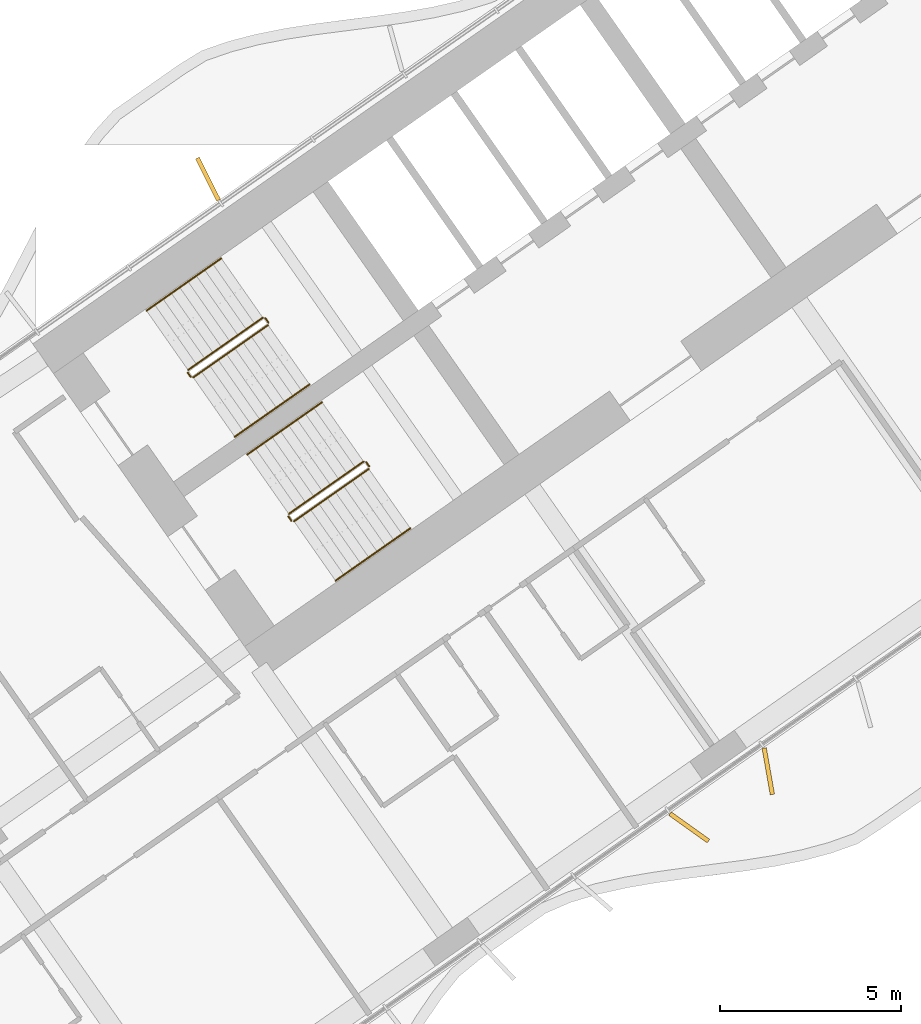
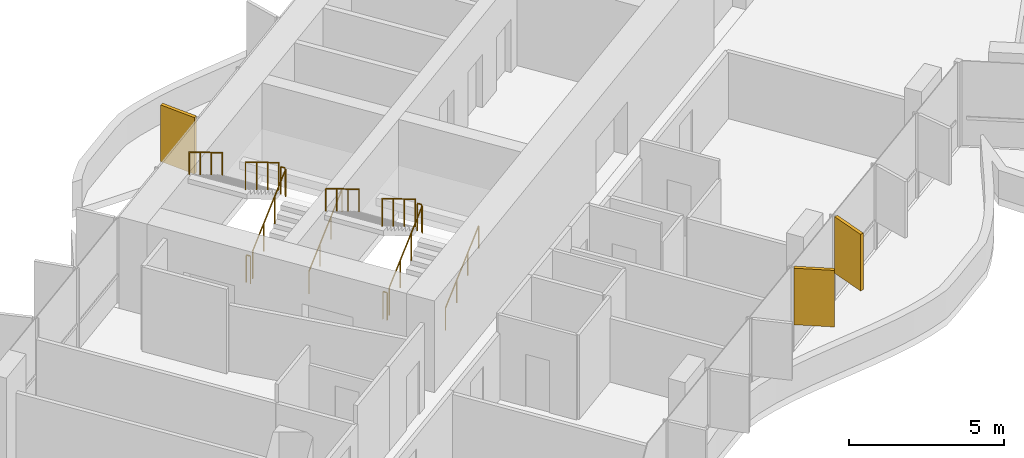
# One storey, part 19 of 23: 12 railings, 3 shading devices.
"""IFC4 building model written with IfcOpenShell, lengths in metres."""

import ifcopenshell
import ifcopenshell.guid

model = None  # the IFC model being written
_history = None  # IfcOwnerHistory: only IFC2X3 demands one
_inside = {}  # id of a spatial element -> (the spatial element, [elements in it])
_under = {}  # id of a project, library or spatial element -> (it, [spatial elements below it])
_declared = {}  # id of a project -> (the project, [libraries it declares])
_typed = {}  # id of a type object -> (the type object, [elements of that type])
_made_of = {}  # id of a material, layer set ... -> (it, [elements and type objects made of it])


def new_model(schema):
    """Start an empty IFC model of exactly this schema.

    Asked for "IFC4X3", IfcOpenShell would pick the latest addendum, in which some entities
    have other attributes; the version numbers below select the first issue.
    IFC2X3 requires an IfcOwnerHistory on every rooted entity: one is made here for all.
    """
    global model, _history
    if schema == "IFC4X3":
        model = ifcopenshell.file(schema_version=(4, 3, 0, 0))
    else:
        model = ifcopenshell.file(schema=schema)
    _inside.clear()
    _under.clear()
    _declared.clear()
    _typed.clear()
    _made_of.clear()
    _history = None
    if model.schema == "IFC2X3":
        org = make("IfcOrganization", Name="unknown")
        user = make(
            "IfcPersonAndOrganization",
            ThePerson=make("IfcPerson", FamilyName="unknown"),
            TheOrganization=org,
        )
        app = make(
            "IfcApplication",
            ApplicationDeveloper=org,
            Version="unknown",
            ApplicationFullName="unknown",
            ApplicationIdentifier="unknown",
        )
        _history = make(
            "IfcOwnerHistory",
            OwningUser=user,
            OwningApplication=app,
            ChangeAction="ADDED",
            CreationDate=0,
        )
    return model


def make(cls, **values):
    """One entity of the class cls with the attributes given. An attribute that is None is left unset."""
    return model.create_entity(
        cls, **{name: value for name, value in values.items() if value is not None}
    )


def rooted(cls, **values):
    """An entity with a GlobalId (a new one), such as an element, a storey or a relation."""
    return make(cls, GlobalId=ifcopenshell.guid.new(), OwnerHistory=_history, **values)


def si_unit(unit_type, name, prefix=None):
    """IfcSIUnit, for example si_unit("LENGTHUNIT", "METRE", prefix="MILLI")."""
    return make("IfcSIUnit", UnitType=unit_type, Prefix=prefix, Name=name)


def assignment(units):
    """IfcUnitAssignment: the units of a project."""
    return None if units is None else make("IfcUnitAssignment", Units=units)


def point(xyz):
    """IfcCartesianPoint."""
    return None if xyz is None else make("IfcCartesianPoint", Coordinates=xyz)


def direction(xyz):
    """IfcDirection."""
    return None if xyz is None else make("IfcDirection", DirectionRatios=xyz)


def frame(location, z_axis=None, x_axis=None):
    """IfcAxis2Placement3D, a coordinate frame: its origin and axes. An axis left out is left unset."""
    return make(
        "IfcAxis2Placement3D",
        Location=point(location),
        Axis=direction(z_axis),
        RefDirection=direction(x_axis),
    )


def frame_2d(location, x_axis=None):
    """IfcAxis2Placement2D, a coordinate frame in the plane: its origin and x axis."""
    return make(
        "IfcAxis2Placement2D", Location=point(location), RefDirection=direction(x_axis)
    )


def origin():
    """The frame at (0, 0, 0) with its axes left unset."""
    return frame((0.0, 0.0, 0.0))


def origin_2d():
    """The frame at (0, 0) in the plane with its x axis left unset."""
    return frame_2d((0.0, 0.0))


def place(relative_to, where):
    """IfcLocalPlacement: puts the frame where relative to a parent placement (None: the world)."""
    return make(
        "IfcLocalPlacement", PlacementRelTo=relative_to, RelativePlacement=where
    )


def context(
    kind, dimensions, precision=None, world=None, true_north=None, identifier=None
):
    """IfcGeometricRepresentationContext, for example the 3D "Model" context."""
    return make(
        "IfcGeometricRepresentationContext",
        ContextIdentifier=identifier,
        ContextType=kind,
        CoordinateSpaceDimension=dimensions,
        Precision=precision,
        WorldCoordinateSystem=world,
        TrueNorth=true_north,
    )


def subcontext(parent, identifier, kind, view, scale=None):
    """IfcGeometricRepresentationSubContext, for example "Body" below "Model"."""
    return make(
        "IfcGeometricRepresentationSubContext",
        ContextIdentifier=identifier,
        ContextType=kind,
        ParentContext=parent,
        TargetScale=scale,
        TargetView=view,
    )


def project(units=None, contexts=None):
    """IfcProject with its units and contexts."""
    return rooted(
        "IfcProject",
        Name="project",
        RepresentationContexts=contexts,
        UnitsInContext=assignment(units),
    )


def spatial(cls, under=None, at=None, **own):
    """A site, building, storey or space (cls), placed at a placement, below another one or the project."""
    s = rooted(cls, ObjectPlacement=at, **own)
    if under is not None:
        _under.setdefault(under.id(), (under, []))[1].append(s)
    return s


def profile(cls, at=None, kind="AREA", **sizes):
    """A parametric profile (cls). Its sizes go by their IFC names, for example OverallWidth=200.0."""
    return make(cls, ProfileType=kind, Position=at, **sizes)


def rectangle(**sizes):
    """IfcRectangleProfileDef."""
    return profile("IfcRectangleProfileDef", **sizes)


def circle(**sizes):
    """IfcCircleProfileDef."""
    return profile("IfcCircleProfileDef", **sizes)


def extrude(swept, where, along, depth):
    """IfcExtrudedAreaSolid: the profile swept, set in the frame where, extruded along a direction by depth."""
    return make(
        "IfcExtrudedAreaSolid",
        SweptArea=swept,
        Position=where,
        ExtrudedDirection=direction(along),
        Depth=depth,
    )


def shape(context_of_items, identifier, shape_type, items):
    """IfcShapeRepresentation: the items that make up one representation, for example the "Body"."""
    return make(
        "IfcShapeRepresentation",
        ContextOfItems=context_of_items,
        RepresentationIdentifier=identifier,
        RepresentationType=shape_type,
        Items=items,
    )


def material(Name=None, Category=None):
    """IfcMaterial."""
    return make("IfcMaterial", Name=Name, Category=Category)


def layer(
    of_material, thickness, ventilated=None, Name=None, Category=None, Priority=None
):
    """IfcMaterialLayer: one layer of a wall or slab, of a material (None: an air gap)."""
    return make(
        "IfcMaterialLayer",
        Material=of_material,
        LayerThickness=thickness,
        IsVentilated=ventilated,
        Name=Name,
        Category=Category,
        Priority=Priority,
    )


def layer_set(layers, Name=None):
    """IfcMaterialLayerSet."""
    return make("IfcMaterialLayerSet", MaterialLayers=layers, LayerSetName=Name)


def made_of(thing, what):
    """Note that an element or type object is made of a material, layer set ...; save() writes the relation."""
    if what is not None:
        _made_of.setdefault(what.id(), (what, []))[1].append(thing)
    return thing


def type_object(cls, material=None, **own):
    """A type object (cls), such as IfcWallType, which elements share."""
    return made_of(rooted(cls, **own), material)


def element(
    cls,
    number,
    at=None,
    inside=None,
    cuts=None,
    type_object=None,
    material=None,
    context=None,
    identifier="Body",
    shape_type=None,
    held_by="IfcProductDefinitionShape",
    body=None,
    shapes=None,
    **own,
):
    """One element of the class cls, such as IfcWall. Its Tag is "e" and its number.

    at: its placement. inside: the storey or other place that contains it. cuts: it is an
    opening in that element (IfcRelVoidsElement). A single representation is given by context,
    identifier, shape_type and body (its items); several are given by shapes. held_by: the class
    of the entity that holds the representations. save() writes the other relations.
    """
    e = rooted(cls, Tag="e%d" % number, ObjectPlacement=at, **own)
    if body is not None:
        shapes = [shape(context, identifier, shape_type, body)]
    if shapes is not None:
        e.Representation = make(held_by, Representations=shapes)
    if inside is not None:
        _inside.setdefault(inside.id(), (inside, []))[1].append(e)
    if cuts is not None:
        rooted(
            "IfcRelVoidsElement", RelatingBuildingElement=cuts, RelatedOpeningElement=e
        )
    if type_object is not None:
        _typed.setdefault(type_object.id(), (type_object, []))[1].append(e)
    return made_of(e, material)


def aggregate(whole, parts):
    """IfcRelAggregates: a whole, such as a stair, and the parts it consists of."""
    return rooted("IfcRelAggregates", RelatingObject=whole, RelatedObjects=parts)


def save(model, path):
    """Write the relations noted so far, then the file.

    IfcRelAggregates (storeys below a building ...), IfcRelContainedInSpatialStructure (elements
    in a storey), IfcRelDefinesByType, IfcRelAssociatesMaterial and IfcRelDeclares: one each for
    every whole, place, type object, material and project.
    """
    for whole, parts in _under.values():
        aggregate(whole, parts)
    for where, things in _inside.values():
        rooted(
            "IfcRelContainedInSpatialStructure",
            RelatedElements=things,
            RelatingStructure=where,
        )
    for kind, things in _typed.values():
        rooted("IfcRelDefinesByType", RelatedObjects=things, RelatingType=kind)
    for what, things in _made_of.values():
        rooted("IfcRelAssociatesMaterial", RelatedObjects=things, RelatingMaterial=what)
    for by, libraries in _declared.values():
        rooted("IfcRelDeclares", RelatingContext=by, RelatedDefinitions=libraries)
    model.write(path)


model = new_model("IFC4")

# Units and contexts
model_context = context("Model", 3, precision=1e-05, world=origin(), true_north=direction((0.0, 1.0)))
body_context = subcontext(model_context, "Body", "Model", "MODEL_VIEW")
ifc_project = project(units=[si_unit("LENGTHUNIT", "METRE"), si_unit("AREAUNIT", "SQUARE_METRE"), si_unit("VOLUMEUNIT", "CUBIC_METRE"), si_unit("PLANEANGLEUNIT", "RADIAN"), si_unit("MASSUNIT", "GRAM", prefix="KILO")], contexts=[model_context])

# Site, building, storey
site_placement = place(None, origin())
site = spatial("IfcSite", under=ifc_project, at=site_placement, CompositionType="ELEMENT")
building_placement = place(site_placement, origin())
building = spatial("IfcBuilding", under=site, at=building_placement, Name="Tel Ilan Convention Tower", CompositionType="ELEMENT")
storey_placement = place(building_placement, frame((0.0, 0.0, 108.5)))
storey = spatial("IfcBuildingStorey", under=building, at=storey_placement, Name="L23", CompositionType="ELEMENT", Elevation=108.5)

# Shading devices
ifc_material_1 = material(Name="Aluminium, bronze anodised", Category="aluminium")
ifc_layer = layer(ifc_material_1, 0.1201171875)
ifc_layer_set = layer_set([ifc_layer], Name="FIN BRONZE 1300x120")
shading_device_type = type_object("IfcShadingDeviceType", Name="FIN BRONZE 1300x120", PredefinedType="USERDEFINED", material=ifc_layer_set)
for number, where, z_axis, x_axis, name in (
    (1, (-23.128662109375, -2.58154296875, 1.10009765625), (0.0, 0.0, 1.0), (-0.448799180206, 0.893632640321, 0.0), "FIN"),
    (2, (-9.84033203125, -20.48046875, 1.10009765625), (0.0, 0.0, 1.0), (0.813552070258, -0.581492071294, 0.0), "FIN"),
    (3, (-7.657958984375, -18.929931640625, 1.10009765625), (0.0, 0.0, 1.0), (0.173648177667, -0.984807753012, 0.0), "FIN"),
):
    element("IfcShadingDevice", number, at=place(storey_placement, frame(where, z_axis=z_axis, x_axis=x_axis)), inside=storey, type_object=shading_device_type, Name=name, ObjectType="FIN", PredefinedType="USERDEFINED", context=body_context, shape_type="SweptSolid", body=[
        extrude(rectangle(XDim=1.300048828125, YDim=0.1201171875, at=origin_2d()), origin(), (0.0, 0.0, 1.0), 2.219970703125),
    ])

# Railings
ifc_material_2 = material(Name="Stainless Steel Grade 316", Category="steel")
railing_type_1 = type_object("IfcRailingType", Name="Stainless Steel Stair Guard 1100 mm", PredefinedType="GUARDRAIL", material=ifc_material_2)
railing_1_placement = place(storey_placement, frame((-23.535400390625, -8.056396484375, 0.179931640625)))
element("IfcRailing", 4, at=railing_1_placement, inside=storey, type_object=railing_type_1, Name="L23 S1 stair guard 1", PredefinedType="GUARDRAIL", context=body_context, shape_type="SweptSolid", body=[
    extrude(circle(Radius=0.02392578125, at=origin_2d()), frame((0.0, 0.0, 1.076171875), z_axis=(0.689013013563, 0.482512838948, 0.540779462804), x_axis=(-0.573624882958, 0.819118119475, 0.0)), (0.0, 0.0, 1.0), 2.995849609375),
    extrude(circle(Radius=0.02099609375, at=origin_2d()), origin(), (0.0, 0.0, 1.0), 1.052001953125),
    extrude(circle(Radius=0.02099609375, at=origin_2d()), frame((0.68798828125, 0.48193359375, 0.5400390625)), (0.0, 0.0, 1.0), 1.052001953125),
    extrude(circle(Radius=0.02099609375, at=origin_2d()), frame((1.376220703125, 0.963623046875, 1.080078125)), (0.0, 0.0, 1.0), 1.052001953125),
    extrude(circle(Radius=0.02099609375, at=origin_2d()), frame((2.064208984375, 1.445556640625, 1.6201171875)), (0.0, 0.0, 1.0), 1.052001953125),
])
railing_2_placement = place(storey_placement, frame((-21.458984375, -6.541259765625, 1.800048828125)))
element("IfcRailing", 5, at=railing_2_placement, inside=storey, type_object=railing_type_1, Name="L23 S1 stair guard 2", PredefinedType="GUARDRAIL", context=body_context, shape_type="SweptSolid", body=[
    extrude(circle(Radius=0.02392578125, at=origin_2d()), frame((0.0, 0.0, 1.076171875), z_axis=(-0.573353020881, 0.819308436089, 0.0), x_axis=(-0.819308436089, -0.573353020881, 0.0)), (0.0, 0.0, 1.0), 0.14990234375),
    extrude(circle(Radius=0.02099609375, at=origin_2d()), origin(), (0.0, 0.0, 1.0), 1.052001953125),
    extrude(circle(Radius=0.02099609375, at=origin_2d()), frame((-0.0859375, 0.122802734375, 0.0)), (0.0, 0.0, 1.0), 1.052001953125),
])
railing_3_placement = place(storey_placement, frame((-21.614501953125, -6.406005859375, 1.97998046875)))
element("IfcRailing", 6, at=railing_3_placement, inside=storey, type_object=railing_type_1, Name="L23 S1 stair guard 3", PredefinedType="GUARDRAIL", context=body_context, shape_type="SweptSolid", body=[
    extrude(circle(Radius=0.02392578125, at=origin_2d()), frame((0.0, 0.0, 1.076171875), z_axis=(-0.689013013563, -0.482512838948, 0.540779462804), x_axis=(0.573624882958, -0.819118119475, 0.0)), (0.0, 0.0, 1.0), 2.995849609375),
    extrude(circle(Radius=0.02099609375, at=origin_2d()), origin(), (0.0, 0.0, 1.0), 1.052001953125),
    extrude(circle(Radius=0.02099609375, at=origin_2d()), frame((-0.68798828125, -0.48193359375, 0.5400390625)), (0.0, 0.0, 1.0), 1.052001953125),
    extrude(circle(Radius=0.02099609375, at=origin_2d()), frame((-1.376220703125, -0.963623046875, 1.080078125)), (0.0, 0.0, 1.0), 1.052001953125),
    extrude(circle(Radius=0.02099609375, at=origin_2d()), frame((-2.064208984375, -1.445556640625, 1.6201171875)), (0.0, 0.0, 1.0), 1.052001953125),
])
railing_4_placement = place(storey_placement, frame((-23.60498046875, -8.0439453125, 0.0)))
element("IfcRailing", 7, at=railing_4_placement, inside=storey, type_object=railing_type_1, Name="L23 S1 stair guard 4", PredefinedType="GUARDRAIL", context=body_context, shape_type="SweptSolid", body=[
    extrude(circle(Radius=0.02392578125, at=origin_2d()), frame((0.0, 0.0, 1.076171875), z_axis=(-0.574444878118, 0.818543268254, 0.0), x_axis=(-0.818543268254, -0.574444878118, 0.0)), (0.0, 0.0, 1.0), 0.150146484375),
    extrude(circle(Radius=0.02099609375, at=origin_2d()), origin(), (0.0, 0.0, 1.0), 1.052001953125),
    extrude(circle(Radius=0.02099609375, at=origin_2d()), frame((-0.086181640625, 0.122802734375, 0.0)), (0.0, 0.0, 1.0), 1.052001953125),
])
railing_5_placement = place(storey_placement, frame((-20.753662109375, -12.029296875, 0.179931640625)))
element("IfcRailing", 8, at=railing_5_placement, inside=storey, type_object=railing_type_1, Name="L23 S2 stair guard 1", PredefinedType="GUARDRAIL", context=body_context, shape_type="SweptSolid", body=[
    extrude(circle(Radius=0.02392578125, at=origin_2d()), frame((0.0, 0.0, 1.076171875), z_axis=(0.689055814419, 0.482485747064, 0.540749099395), x_axis=(-0.573579365141, 0.81914999352, 0.0)), (0.0, 0.0, 1.0), 2.99609375),
    extrude(circle(Radius=0.02099609375, at=origin_2d()), origin(), (0.0, 0.0, 1.0), 1.052001953125),
    extrude(circle(Radius=0.02099609375, at=origin_2d()), frame((0.688232421875, 0.48193359375, 0.5400390625)), (0.0, 0.0, 1.0), 1.052001953125),
    extrude(circle(Radius=0.02099609375, at=origin_2d()), frame((1.376220703125, 0.963623046875, 1.080078125)), (0.0, 0.0, 1.0), 1.052001953125),
    extrude(circle(Radius=0.02099609375, at=origin_2d()), frame((2.064453125, 1.445556640625, 1.6201171875)), (0.0, 0.0, 1.0), 1.052001953125),
])
railing_6_placement = place(storey_placement, frame((-18.677001953125, -10.51416015625, 1.800048828125)))
element("IfcRailing", 9, at=railing_6_placement, inside=storey, type_object=railing_type_1, Name="L23 S2 stair guard 2", PredefinedType="GUARDRAIL", context=body_context, shape_type="SweptSolid", body=[
    extrude(circle(Radius=0.02392578125, at=origin_2d()), frame((0.0, 0.0, 1.076171875), z_axis=(-0.573353020881, 0.819308436089, 0.0), x_axis=(-0.819308436089, -0.573353020881, 0.0)), (0.0, 0.0, 1.0), 0.14990234375),
    extrude(circle(Radius=0.02099609375, at=origin_2d()), origin(), (0.0, 0.0, 1.0), 1.052001953125),
    extrude(circle(Radius=0.02099609375, at=origin_2d()), frame((-0.0859375, 0.122802734375, 0.0)), (0.0, 0.0, 1.0), 1.052001953125),
])
railing_7_placement = place(storey_placement, frame((-18.832763671875, -10.37890625, 1.97998046875)))
element("IfcRailing", 10, at=railing_7_placement, inside=storey, type_object=railing_type_1, Name="L23 S2 stair guard 3", PredefinedType="GUARDRAIL", context=body_context, shape_type="SweptSolid", body=[
    extrude(circle(Radius=0.02392578125, at=origin_2d()), frame((0.0, 0.0, 1.076171875), z_axis=(-0.689013013563, -0.482512838948, 0.540779462804), x_axis=(0.573624882958, -0.819118119475, 0.0)), (0.0, 0.0, 1.0), 2.995849609375),
    extrude(circle(Radius=0.02099609375, at=origin_2d()), origin(), (0.0, 0.0, 1.0), 1.052001953125),
    extrude(circle(Radius=0.02099609375, at=origin_2d()), frame((-0.68798828125, -0.48193359375, 0.5400390625)), (0.0, 0.0, 1.0), 1.052001953125),
    extrude(circle(Radius=0.02099609375, at=origin_2d()), frame((-1.376220703125, -0.963623046875, 1.080078125)), (0.0, 0.0, 1.0), 1.052001953125),
    extrude(circle(Radius=0.02099609375, at=origin_2d()), frame((-2.064208984375, -1.445556640625, 1.6201171875)), (0.0, 0.0, 1.0), 1.052001953125),
])
railing_8_placement = place(storey_placement, frame((-20.8232421875, -12.016845703125, 0.0)))
element("IfcRailing", 11, at=railing_8_placement, inside=storey, type_object=railing_type_1, Name="L23 S2 stair guard 4", PredefinedType="GUARDRAIL", context=body_context, shape_type="SweptSolid", body=[
    extrude(circle(Radius=0.02392578125, at=origin_2d()), frame((0.0, 0.0, 1.076171875), z_axis=(-0.573353020881, 0.819308436089, 0.0), x_axis=(-0.819308436089, -0.573353020881, 0.0)), (0.0, 0.0, 1.0), 0.14990234375),
    extrude(circle(Radius=0.02099609375, at=origin_2d()), origin(), (0.0, 0.0, 1.0), 1.052001953125),
    extrude(circle(Radius=0.02099609375, at=origin_2d()), frame((-0.0859375, 0.122802734375, 0.0)), (0.0, 0.0, 1.0), 1.052001953125),
])
ifc_material_3 = material(Name="Stainless Steel Grade 316", Category="steel")
railing_type_2 = type_object("IfcRailingType", Name="Stainless Steel Stair Handrail 900 mm", PredefinedType="HANDRAIL", material=ifc_material_3)
railing_9_placement = place(storey_placement, frame((-22.38818359375, -9.694580078125, 0.179931640625)))
element("IfcRailing", 12, at=railing_9_placement, inside=storey, type_object=railing_type_2, Name="L23 S1 stair handrail 1", PredefinedType="HANDRAIL", context=body_context, shape_type="SweptSolid", body=[
    extrude(circle(Radius=0.02392578125, at=origin_2d()), frame((0.0, 0.0, 0.8759765625), z_axis=(0.689040105437, 0.482450316285, 0.54080072616), x_axis=(-0.573559875649, 0.819163639968, 0.0)), (0.0, 0.0, 1.0), 2.995849609375),
    extrude(circle(Radius=0.02099609375, at=origin_2d()), origin(), (0.0, 0.0, 1.0), 0.851806640625),
    extrude(circle(Radius=0.02099609375, at=origin_2d()), frame((0.68798828125, 0.481689453125, 0.5400390625)), (0.0, 0.0, 1.0), 0.851806640625),
    extrude(circle(Radius=0.02099609375, at=origin_2d()), frame((1.376220703125, 0.963623046875, 1.080078125)), (0.0, 0.0, 1.0), 0.851806640625),
    extrude(circle(Radius=0.02099609375, at=origin_2d()), frame((2.064208984375, 1.4453125, 1.6201171875)), (0.0, 0.0, 1.0), 0.851806640625),
])
railing_10_placement = place(storey_placement, frame((-22.76171875, -4.767822265625, 1.97998046875)))
element("IfcRailing", 13, at=railing_10_placement, inside=storey, type_object=railing_type_2, Name="L23 S1 stair handrail 2", PredefinedType="HANDRAIL", context=body_context, shape_type="SweptSolid", body=[
    extrude(circle(Radius=0.02392578125, at=origin_2d()), frame((0.0, 0.0, 0.8759765625), z_axis=(-0.689040105437, -0.482450316285, 0.54080072616), x_axis=(0.573559875649, -0.819163639968, 0.0)), (0.0, 0.0, 1.0), 2.995849609375),
    extrude(circle(Radius=0.02099609375, at=origin_2d()), origin(), (0.0, 0.0, 1.0), 0.851806640625),
    extrude(circle(Radius=0.02099609375, at=origin_2d()), frame((-0.68798828125, -0.481689453125, 0.5400390625)), (0.0, 0.0, 1.0), 0.851806640625),
    extrude(circle(Radius=0.02099609375, at=origin_2d()), frame((-1.376220703125, -0.963623046875, 1.080078125)), (0.0, 0.0, 1.0), 0.851806640625),
    extrude(circle(Radius=0.02099609375, at=origin_2d()), frame((-2.064208984375, -1.4453125, 1.6201171875)), (0.0, 0.0, 1.0), 0.851806640625),
])
railing_11_placement = place(storey_placement, frame((-19.6064453125, -13.66748046875, 0.179931640625)))
element("IfcRailing", 14, at=railing_11_placement, inside=storey, type_object=railing_type_2, Name="L23 S2 stair handrail 1", PredefinedType="HANDRAIL", context=body_context, shape_type="SweptSolid", body=[
    extrude(circle(Radius=0.02392578125, at=origin_2d()), frame((0.0, 0.0, 0.8759765625), z_axis=(0.689040105437, 0.482450316285, 0.54080072616), x_axis=(-0.573559875649, 0.819163639968, 0.0)), (0.0, 0.0, 1.0), 2.995849609375),
    extrude(circle(Radius=0.02099609375, at=origin_2d()), origin(), (0.0, 0.0, 1.0), 0.851806640625),
    extrude(circle(Radius=0.02099609375, at=origin_2d()), frame((0.68798828125, 0.481689453125, 0.5400390625)), (0.0, 0.0, 1.0), 0.851806640625),
    extrude(circle(Radius=0.02099609375, at=origin_2d()), frame((1.376220703125, 0.963623046875, 1.080078125)), (0.0, 0.0, 1.0), 0.851806640625),
    extrude(circle(Radius=0.02099609375, at=origin_2d()), frame((2.064208984375, 1.4453125, 1.6201171875)), (0.0, 0.0, 1.0), 0.851806640625),
])
railing_12_placement = place(storey_placement, frame((-19.979736328125, -8.74072265625, 1.97998046875)))
element("IfcRailing", 15, at=railing_12_placement, inside=storey, type_object=railing_type_2, Name="L23 S2 stair handrail 2", PredefinedType="HANDRAIL", context=body_context, shape_type="SweptSolid", body=[
    extrude(circle(Radius=0.02392578125, at=origin_2d()), frame((0.0, 0.0, 0.8759765625), z_axis=(-0.689082904933, -0.482423225781, 0.540770359169), x_axis=(0.573514357932, -0.81919550856, 0.0)), (0.0, 0.0, 1.0), 2.995849609375),
    extrude(circle(Radius=0.02099609375, at=origin_2d()), origin(), (0.0, 0.0, 1.0), 0.851806640625),
    extrude(circle(Radius=0.02099609375, at=origin_2d()), frame((-0.688232421875, -0.481689453125, 0.5400390625)), (0.0, 0.0, 1.0), 0.851806640625),
    extrude(circle(Radius=0.02099609375, at=origin_2d()), frame((-1.376220703125, -0.963623046875, 1.080078125)), (0.0, 0.0, 1.0), 0.851806640625),
    extrude(circle(Radius=0.02099609375, at=origin_2d()), frame((-2.064453125, -1.4453125, 1.6201171875)), (0.0, 0.0, 1.0), 0.851806640625),
])

save(model, "model.ifc")
